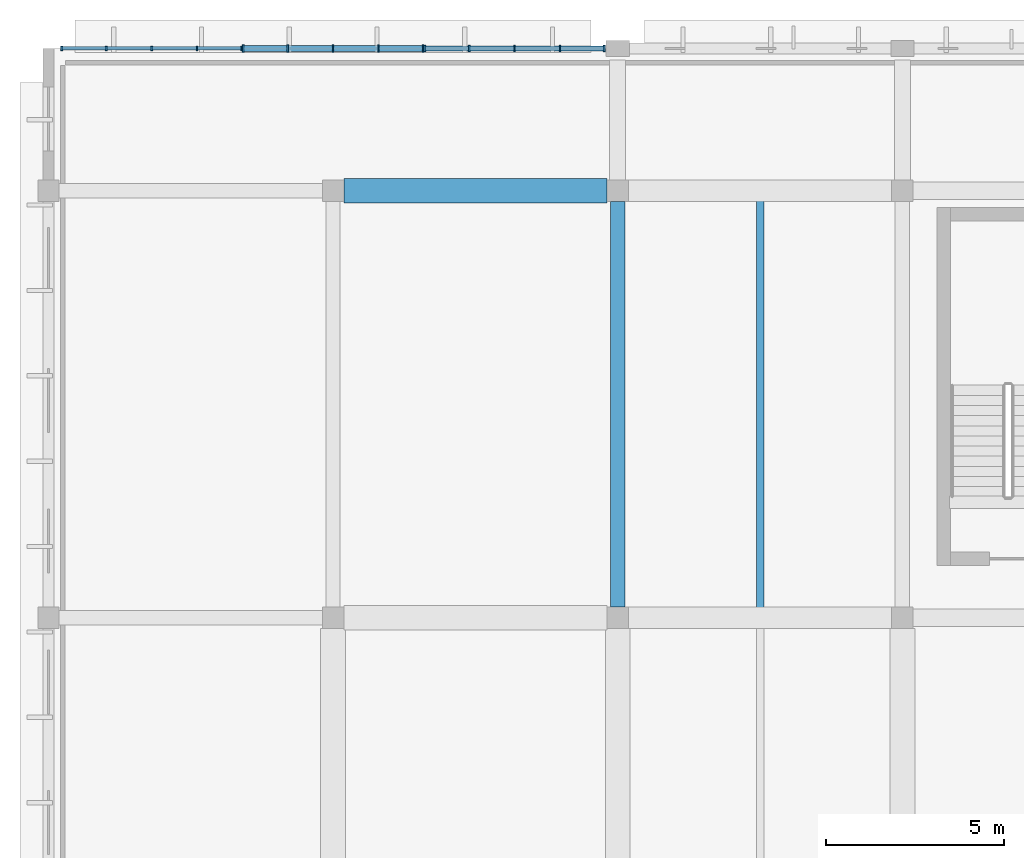
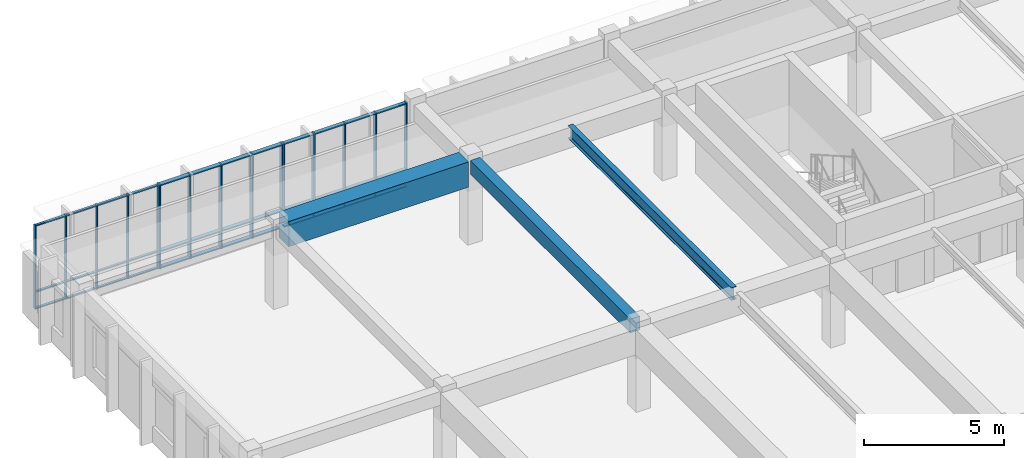
# One storey, part 16 of 98: 51 members, 3 beams, 3 elements without a shape of their own.
"""IFC4 building model written with IfcOpenShell, lengths in metres."""

from ifc_helpers import new_model, si_unit, direction, frame, origin, origin_2d, place, context, subcontext, project, spatial, rectangle, i_section, extrude, material, material_profile, profile_set, type_object, element, aggregate, save


model = new_model("IFC4")

# Units and contexts
model_context = context("Model", 3, precision=1e-05, world=origin(), true_north=direction((0.0, 1.0)))
body_context = subcontext(model_context, "Body", "Model", "MODEL_VIEW")
ifc_project = project(units=[si_unit("LENGTHUNIT", "METRE"), si_unit("AREAUNIT", "SQUARE_METRE"), si_unit("VOLUMEUNIT", "CUBIC_METRE"), si_unit("PLANEANGLEUNIT", "RADIAN"), si_unit("MASSUNIT", "GRAM", prefix="KILO")], contexts=[model_context])

# Site, building, storey
site_placement = place(None, origin())
site = spatial("IfcSite", under=ifc_project, at=site_placement, CompositionType="ELEMENT")
building_placement = place(site_placement, origin())
building = spatial("IfcBuilding", under=site, at=building_placement, Name="Larkveld Mobility Hub", CompositionType="ELEMENT")
storey_placement = place(building_placement, frame((0.0, 0.0, 4.5)))
storey = spatial("IfcBuildingStorey", under=building, at=storey_placement, Name="L01", CompositionType="ELEMENT", Elevation=4.5)

# Beams
ifc_material_1 = material(Name="Concrete C40/50", Category="concrete")
ifc_material_profile_1 = material_profile(ifc_material_1, rectangle(XDim=0.39990234375, YDim=0.60009765625, at=origin_2d()), Name="RC BM 400x600")
ifc_profile_set_1 = profile_set([ifc_material_profile_1], Name="Concrete C40/50")
beam_type_1 = type_object("IfcBeamType", Name="BM-RC4060", PredefinedType="BEAM", material=ifc_profile_set_1)
beam_1_placement = place(storey_placement, frame((16.0, 110.300048828125, 3.360107421875), z_axis=(0.0, 1.0, 0.0), x_axis=(-1.0, 0.0, 0.0)))
element("IfcBeam", 1, at=beam_1_placement, inside=storey, type_object=beam_type_1, Name="Primary N-S Girder L01-0358", PredefinedType="BEAM", context=body_context, shape_type="SweptSolid", body=[
    extrude(rectangle(XDim=0.39990234375, YDim=0.60009765625, at=origin_2d()), origin(), (0.0, 0.0, 1.0), 11.39990234375),
])
ifc_material_profile_2 = material_profile(ifc_material_1, rectangle(XDim=0.699951171875, YDim=1.10009765625, at=origin_2d()), Name="RC BM 700x1100")
ifc_profile_set_2 = profile_set([ifc_material_profile_2], Name="Concrete C40/50")
beam_type_2 = type_object("IfcBeamType", Name="BM-RC70110", PredefinedType="BEAM", material=ifc_profile_set_2)
beam_2_placement = place(storey_placement, frame((8.300048828125, 122.0, 3.110107421875), z_axis=(1.0, 0.0, 0.0), x_axis=(0.0, 1.0, 0.0)))
element("IfcBeam", 2, at=beam_2_placement, inside=storey, type_object=beam_type_2, Name="Primary E-W Girder L01-0329", PredefinedType="BEAM", context=body_context, shape_type="SweptSolid", body=[
    extrude(rectangle(XDim=0.699951171875, YDim=1.10009765625, at=origin_2d()), origin(), (0.0, 0.0, 1.0), 7.39990234375),
])
ifc_material_2 = material(Name="Steel S355JR", Category="steel")
ifc_material_profile_3 = material_profile(ifc_material_2, i_section(OverallWidth=0.2099609375, OverallDepth=0.550048828125, WebThickness=0.010986328125, FlangeThickness=0.01708984375, FilletRadius=0.02392578125, at=origin_2d()), Name="IPE 550")
ifc_profile_set_3 = profile_set([ifc_material_profile_3], Name="Steel S355JR")
beam_type_3 = type_object("IfcBeamType", Name="BM-STIPE550", PredefinedType="BEAM", material=ifc_profile_set_3)
beam_3_placement = place(storey_placement, frame((20.0, 110.169921875, 3.39501953125), z_axis=(0.0, 1.0, 0.0), x_axis=(-1.0, 0.0, 0.0)))
element("IfcBeam", 3, at=beam_3_placement, inside=storey, type_object=beam_type_3, Name="Bicycle Hall Secondary Beam L01-1183", PredefinedType="BEAM", context=body_context, shape_type="SweptSolid", body=[
    extrude(i_section(OverallWidth=0.2099609375, OverallDepth=0.550048828125, WebThickness=0.010986328125, FlangeThickness=0.01708984375, FilletRadius=0.02392578125, at=origin_2d()), origin(), (0.0, 0.0, 1.0), 11.66015625),
])

# Curtain wall, members
ifc_material_3 = material(Name="Anodised aluminium 6063-T6", Category="aluminium")
curtain_wall_type_1 = type_object("IfcCurtainWallType", Name="CW-SYS-02", PredefinedType="NOTDEFINED", material=ifc_material_3)
curtain_wall_1_placement = place(storey_placement, origin())
curtain_wall_1 = element("IfcCurtainWall", 4, at=curtain_wall_1_placement, inside=storey, type_object=curtain_wall_type_1, Name="Bicycle Hall North Curtain Wall L01 CW-074", PredefinedType="NOTDEFINED")
ifc_material_profile_4 = material_profile(ifc_material_3, rectangle(XDim=0.050048828125, YDim=0.179931640625, at=origin_2d()), Name="ALU MULL 50x180")
ifc_profile_set_4 = profile_set([ifc_material_profile_4], Name="Anodised aluminium 6063-T6")
member_type_1 = type_object("IfcMemberType", Name="CW-MUL-02", PredefinedType="MULLION", material=ifc_profile_set_4)
member_1_placement = place(storey_placement, frame((15.625, 126.0, -0.001953125), z_axis=(0.0, 0.0, 1.0), x_axis=(-1.0, 0.0, 0.0)))
member_1 = element("IfcMember", 5, at=member_1_placement, type_object=member_type_1, Name="CW02 mullion 1", PredefinedType="MULLION", context=body_context, shape_type="SweptSolid", body=[
    extrude(rectangle(XDim=0.050048828125, YDim=0.179931640625, at=origin_2d()), origin(), (0.0, 0.0, 1.0), 3.661865234375),
])
member_2_placement = place(storey_placement, frame((14.375, 126.0, -0.001953125), z_axis=(0.0, 0.0, 1.0), x_axis=(-1.0, 0.0, 0.0)))
member_2 = element("IfcMember", 6, at=member_2_placement, type_object=member_type_1, Name="CW02 mullion 2", PredefinedType="MULLION", context=body_context, shape_type="SweptSolid", body=[
    extrude(rectangle(XDim=0.050048828125, YDim=0.179931640625, at=origin_2d()), origin(), (0.0, 0.0, 1.0), 3.661865234375),
])
member_3_placement = place(storey_placement, frame((13.10009765625, 126.0, -0.001953125), z_axis=(0.0, 0.0, 1.0), x_axis=(-1.0, 0.0, 0.0)))
member_3 = element("IfcMember", 7, at=member_3_placement, type_object=member_type_1, Name="CW02 mullion 3", PredefinedType="MULLION", context=body_context, shape_type="SweptSolid", body=[
    extrude(rectangle(XDim=0.050048828125, YDim=0.179931640625, at=origin_2d()), origin(), (0.0, 0.0, 1.0), 3.661865234375),
])
member_4_placement = place(storey_placement, frame((11.824951171875, 126.0, -0.001953125), z_axis=(0.0, 0.0, 1.0), x_axis=(-1.0, 0.0, 0.0)))
member_4 = element("IfcMember", 8, at=member_4_placement, type_object=member_type_1, Name="CW02 mullion 4", PredefinedType="MULLION", context=body_context, shape_type="SweptSolid", body=[
    extrude(rectangle(XDim=0.050048828125, YDim=0.179931640625, at=origin_2d()), origin(), (0.0, 0.0, 1.0), 3.661865234375),
])
member_5_placement = place(storey_placement, frame((10.574951171875, 126.0, -0.001953125), z_axis=(0.0, 0.0, 1.0), x_axis=(-1.0, 0.0, 0.0)))
member_5 = element("IfcMember", 9, at=member_5_placement, type_object=member_type_1, Name="CW02 mullion 5", PredefinedType="MULLION", context=body_context, shape_type="SweptSolid", body=[
    extrude(rectangle(XDim=0.050048828125, YDim=0.179931640625, at=origin_2d()), origin(), (0.0, 0.0, 1.0), 3.661865234375),
])

curtain_wall_type_2 = type_object("IfcCurtainWallType", Name="CW-SYS-03", PredefinedType="NOTDEFINED", material=ifc_material_3)
curtain_wall_2_placement = place(storey_placement, origin())
curtain_wall_2 = element("IfcCurtainWall", 10, at=curtain_wall_2_placement, inside=storey, type_object=curtain_wall_type_2, Name="Bicycle Hall North Curtain Wall L01 CW-075", PredefinedType="NOTDEFINED")
ifc_material_profile_5 = material_profile(ifc_material_3, rectangle(XDim=0.050048828125, YDim=0.2099609375, at=origin_2d()), Name="ALU MULL 50x210")
ifc_profile_set_5 = profile_set([ifc_material_profile_5], Name="Anodised aluminium 6063-T6")
member_type_2 = type_object("IfcMemberType", Name="CW-MUL-03", PredefinedType="MULLION", material=ifc_profile_set_5)
member_6_placement = place(storey_placement, frame((10.52490234375, 126.0, -0.001953125), z_axis=(0.0, 0.0, 1.0), x_axis=(-1.0, 0.0, 0.0)))
member_6 = element("IfcMember", 11, at=member_6_placement, type_object=member_type_2, Name="CW03 mullion 1", PredefinedType="MULLION", context=body_context, shape_type="SweptSolid", body=[
    extrude(rectangle(XDim=0.050048828125, YDim=0.2099609375, at=origin_2d()), origin(), (0.0, 0.0, 1.0), 3.661865234375),
])
member_7_placement = place(storey_placement, frame((9.27490234375, 126.0, -0.001953125), z_axis=(0.0, 0.0, 1.0), x_axis=(-1.0, 0.0, 0.0)))
member_7 = element("IfcMember", 12, at=member_7_placement, type_object=member_type_2, Name="CW03 mullion 2", PredefinedType="MULLION", context=body_context, shape_type="SweptSolid", body=[
    extrude(rectangle(XDim=0.050048828125, YDim=0.2099609375, at=origin_2d()), origin(), (0.0, 0.0, 1.0), 3.661865234375),
])
member_8_placement = place(storey_placement, frame((8.0, 126.0, -0.001953125), z_axis=(0.0, 0.0, 1.0), x_axis=(-1.0, 0.0, 0.0)))
member_8 = element("IfcMember", 13, at=member_8_placement, type_object=member_type_2, Name="CW03 mullion 3", PredefinedType="MULLION", context=body_context, shape_type="SweptSolid", body=[
    extrude(rectangle(XDim=0.050048828125, YDim=0.2099609375, at=origin_2d()), origin(), (0.0, 0.0, 1.0), 3.661865234375),
])
member_9_placement = place(storey_placement, frame((6.72509765625, 126.0, -0.001953125), z_axis=(0.0, 0.0, 1.0), x_axis=(-1.0, 0.0, 0.0)))
member_9 = element("IfcMember", 14, at=member_9_placement, type_object=member_type_2, Name="CW03 mullion 4", PredefinedType="MULLION", context=body_context, shape_type="SweptSolid", body=[
    extrude(rectangle(XDim=0.050048828125, YDim=0.2099609375, at=origin_2d()), origin(), (0.0, 0.0, 1.0), 3.661865234375),
])
member_10_placement = place(storey_placement, frame((5.47509765625, 126.0, -0.001953125), z_axis=(0.0, 0.0, 1.0), x_axis=(-1.0, 0.0, 0.0)))
member_10 = element("IfcMember", 15, at=member_10_placement, type_object=member_type_2, Name="CW03 mullion 5", PredefinedType="MULLION", context=body_context, shape_type="SweptSolid", body=[
    extrude(rectangle(XDim=0.050048828125, YDim=0.2099609375, at=origin_2d()), origin(), (0.0, 0.0, 1.0), 3.661865234375),
])

curtain_wall_type_3 = type_object("IfcCurtainWallType", Name="CW-SYS-04", PredefinedType="NOTDEFINED", material=ifc_material_3)
curtain_wall_3_placement = place(storey_placement, origin())
curtain_wall_3 = element("IfcCurtainWall", 16, at=curtain_wall_3_placement, inside=storey, type_object=curtain_wall_type_3, Name="Bicycle Hall North Curtain Wall L01 CW-076", PredefinedType="NOTDEFINED")
ifc_material_profile_6 = material_profile(ifc_material_3, rectangle(XDim=0.050048828125, YDim=0.1298828125, at=origin_2d()), Name="ALU MULL 50x130")
ifc_profile_set_6 = profile_set([ifc_material_profile_6], Name="Anodised aluminium 6063-T6")
member_type_3 = type_object("IfcMemberType", Name="CW-MUL-04", PredefinedType="MULLION", material=ifc_profile_set_6)
member_11_placement = place(storey_placement, frame((5.425048828125, 126.0, -0.001953125), z_axis=(0.0, 0.0, 1.0), x_axis=(-1.0, 0.0, 0.0)))
member_11 = element("IfcMember", 17, at=member_11_placement, type_object=member_type_3, Name="CW04 mullion 1", PredefinedType="MULLION", context=body_context, shape_type="SweptSolid", body=[
    extrude(rectangle(XDim=0.050048828125, YDim=0.1298828125, at=origin_2d()), origin(), (0.0, 0.0, 1.0), 3.661865234375),
])
member_12_placement = place(storey_placement, frame((4.175048828125, 126.0, -0.001953125), z_axis=(0.0, 0.0, 1.0), x_axis=(-1.0, 0.0, 0.0)))
member_12 = element("IfcMember", 18, at=member_12_placement, type_object=member_type_3, Name="CW04 mullion 2", PredefinedType="MULLION", context=body_context, shape_type="SweptSolid", body=[
    extrude(rectangle(XDim=0.050048828125, YDim=0.1298828125, at=origin_2d()), origin(), (0.0, 0.0, 1.0), 3.661865234375),
])
member_13_placement = place(storey_placement, frame((2.89990234375, 126.0, -0.001953125), z_axis=(0.0, 0.0, 1.0), x_axis=(-1.0, 0.0, 0.0)))
member_13 = element("IfcMember", 19, at=member_13_placement, type_object=member_type_3, Name="CW04 mullion 3", PredefinedType="MULLION", context=body_context, shape_type="SweptSolid", body=[
    extrude(rectangle(XDim=0.050048828125, YDim=0.1298828125, at=origin_2d()), origin(), (0.0, 0.0, 1.0), 3.661865234375),
])
member_14_placement = place(storey_placement, frame((1.625, 126.0, -0.001953125), z_axis=(0.0, 0.0, 1.0), x_axis=(-1.0, 0.0, 0.0)))
member_14 = element("IfcMember", 20, at=member_14_placement, type_object=member_type_3, Name="CW04 mullion 4", PredefinedType="MULLION", context=body_context, shape_type="SweptSolid", body=[
    extrude(rectangle(XDim=0.050048828125, YDim=0.1298828125, at=origin_2d()), origin(), (0.0, 0.0, 1.0), 3.661865234375),
])
member_15_placement = place(storey_placement, frame((0.375, 126.0, -0.001953125), z_axis=(0.0, 0.0, 1.0), x_axis=(-1.0, 0.0, 0.0)))
member_15 = element("IfcMember", 21, at=member_15_placement, type_object=member_type_3, Name="CW04 mullion 5", PredefinedType="MULLION", context=body_context, shape_type="SweptSolid", body=[
    extrude(rectangle(XDim=0.050048828125, YDim=0.1298828125, at=origin_2d()), origin(), (0.0, 0.0, 1.0), 3.661865234375),
])

# Member
ifc_material_profile_7 = material_profile(ifc_material_3, rectangle(XDim=0.14990234375, YDim=0.050048828125, at=origin_2d()), Name="ALU TRAN 50x150")
ifc_profile_set_7 = profile_set([ifc_material_profile_7], Name="Anodised aluminium 6063-T6")
member_type_4 = type_object("IfcMemberType", Name="CW-TRN-02", PredefinedType="USERDEFINED", material=ifc_profile_set_7)
member_16_placement = place(storey_placement, frame((15.614990234375, 126.0, 0.030029296875), z_axis=(-1.0, 0.0, 0.0), x_axis=(0.0, -1.0, 0.0)))
member_16 = element("IfcMember", 22, at=member_16_placement, type_object=member_type_4, Name="CW02 transom 1.1", ObjectType="TRANSOM", PredefinedType="USERDEFINED", context=body_context, shape_type="SweptSolid", body=[
    extrude(rectangle(XDim=0.14990234375, YDim=0.050048828125, at=origin_2d()), origin(), (0.0, 0.0, 1.0), 1.22509765625),
])

member_17_placement = place(storey_placement, frame((15.614990234375, 126.0, 0.75), z_axis=(-1.0, 0.0, 0.0), x_axis=(0.0, -1.0, 0.0)))
member_17 = element("IfcMember", 23, at=member_17_placement, type_object=member_type_4, Name="CW02 transom 1.2", ObjectType="TRANSOM", PredefinedType="USERDEFINED", context=body_context, shape_type="SweptSolid", body=[
    extrude(rectangle(XDim=0.14990234375, YDim=0.050048828125, at=origin_2d()), origin(), (0.0, 0.0, 1.0), 1.22509765625),
])

member_18_placement = place(storey_placement, frame((15.614990234375, 126.0, 3.6279296875), z_axis=(-1.0, 0.0, 0.0), x_axis=(0.0, -1.0, 0.0)))
member_18 = element("IfcMember", 24, at=member_18_placement, type_object=member_type_4, Name="CW02 transom 1.3", ObjectType="TRANSOM", PredefinedType="USERDEFINED", context=body_context, shape_type="SweptSolid", body=[
    extrude(rectangle(XDim=0.14990234375, YDim=0.050048828125, at=origin_2d()), origin(), (0.0, 0.0, 1.0), 1.22509765625),
])

member_19_placement = place(storey_placement, frame((14.360107421875, 126.0, 0.030029296875), z_axis=(-1.0, 0.0, 0.0), x_axis=(0.0, -1.0, 0.0)))
member_19 = element("IfcMember", 25, at=member_19_placement, type_object=member_type_4, Name="CW02 transom 2.1", ObjectType="TRANSOM", PredefinedType="USERDEFINED", context=body_context, shape_type="SweptSolid", body=[
    extrude(rectangle(XDim=0.14990234375, YDim=0.050048828125, at=origin_2d()), origin(), (0.0, 0.0, 1.0), 1.2451171875),
])

member_20_placement = place(storey_placement, frame((14.360107421875, 126.0, 0.75), z_axis=(-1.0, 0.0, 0.0), x_axis=(0.0, -1.0, 0.0)))
member_20 = element("IfcMember", 26, at=member_20_placement, type_object=member_type_4, Name="CW02 transom 2.2", ObjectType="TRANSOM", PredefinedType="USERDEFINED", context=body_context, shape_type="SweptSolid", body=[
    extrude(rectangle(XDim=0.14990234375, YDim=0.050048828125, at=origin_2d()), origin(), (0.0, 0.0, 1.0), 1.2451171875),
])

member_21_placement = place(storey_placement, frame((14.360107421875, 126.0, 3.6279296875), z_axis=(-1.0, 0.0, 0.0), x_axis=(0.0, -1.0, 0.0)))
member_21 = element("IfcMember", 27, at=member_21_placement, type_object=member_type_4, Name="CW02 transom 2.3", ObjectType="TRANSOM", PredefinedType="USERDEFINED", context=body_context, shape_type="SweptSolid", body=[
    extrude(rectangle(XDim=0.14990234375, YDim=0.050048828125, at=origin_2d()), origin(), (0.0, 0.0, 1.0), 1.2451171875),
])

member_22_placement = place(storey_placement, frame((13.0849609375, 126.0, 0.030029296875), z_axis=(-1.0, 0.0, 0.0), x_axis=(0.0, -1.0, 0.0)))
member_22 = element("IfcMember", 28, at=member_22_placement, type_object=member_type_4, Name="CW02 transom 3.1", ObjectType="TRANSOM", PredefinedType="USERDEFINED", context=body_context, shape_type="SweptSolid", body=[
    extrude(rectangle(XDim=0.14990234375, YDim=0.050048828125, at=origin_2d()), origin(), (0.0, 0.0, 1.0), 1.244873046875),
])

member_23_placement = place(storey_placement, frame((13.0849609375, 126.0, 0.75), z_axis=(-1.0, 0.0, 0.0), x_axis=(0.0, -1.0, 0.0)))
member_23 = element("IfcMember", 29, at=member_23_placement, type_object=member_type_4, Name="CW02 transom 3.2", ObjectType="TRANSOM", PredefinedType="USERDEFINED", context=body_context, shape_type="SweptSolid", body=[
    extrude(rectangle(XDim=0.14990234375, YDim=0.050048828125, at=origin_2d()), origin(), (0.0, 0.0, 1.0), 1.244873046875),
])

member_24_placement = place(storey_placement, frame((13.0849609375, 126.0, 3.6279296875), z_axis=(-1.0, 0.0, 0.0), x_axis=(0.0, -1.0, 0.0)))
member_24 = element("IfcMember", 30, at=member_24_placement, type_object=member_type_4, Name="CW02 transom 3.3", ObjectType="TRANSOM", PredefinedType="USERDEFINED", context=body_context, shape_type="SweptSolid", body=[
    extrude(rectangle(XDim=0.14990234375, YDim=0.050048828125, at=origin_2d()), origin(), (0.0, 0.0, 1.0), 1.244873046875),
])

member_25_placement = place(storey_placement, frame((11.81005859375, 126.0, 0.030029296875), z_axis=(-1.0, 0.0, 0.0), x_axis=(0.0, -1.0, 0.0)))
member_25 = element("IfcMember", 31, at=member_25_placement, type_object=member_type_4, Name="CW02 transom 4.1", ObjectType="TRANSOM", PredefinedType="USERDEFINED", context=body_context, shape_type="SweptSolid", body=[
    extrude(rectangle(XDim=0.14990234375, YDim=0.050048828125, at=origin_2d()), origin(), (0.0, 0.0, 1.0), 1.22509765625),
])

member_26_placement = place(storey_placement, frame((11.81005859375, 126.0, 0.75), z_axis=(-1.0, 0.0, 0.0), x_axis=(0.0, -1.0, 0.0)))
member_26 = element("IfcMember", 32, at=member_26_placement, type_object=member_type_4, Name="CW02 transom 4.2", ObjectType="TRANSOM", PredefinedType="USERDEFINED", context=body_context, shape_type="SweptSolid", body=[
    extrude(rectangle(XDim=0.14990234375, YDim=0.050048828125, at=origin_2d()), origin(), (0.0, 0.0, 1.0), 1.22509765625),
])

member_27_placement = place(storey_placement, frame((11.81005859375, 126.0, 3.6279296875), z_axis=(-1.0, 0.0, 0.0), x_axis=(0.0, -1.0, 0.0)))
member_27 = element("IfcMember", 33, at=member_27_placement, type_object=member_type_4, Name="CW02 transom 4.3", ObjectType="TRANSOM", PredefinedType="USERDEFINED", context=body_context, shape_type="SweptSolid", body=[
    extrude(rectangle(XDim=0.14990234375, YDim=0.050048828125, at=origin_2d()), origin(), (0.0, 0.0, 1.0), 1.22509765625),
])

aggregate(curtain_wall_1, [member_1, member_2, member_3, member_4, member_5, member_16, member_17, member_18, member_19, member_20, member_21, member_22, member_23, member_24, member_25, member_26, member_27])

ifc_material_profile_8 = material_profile(ifc_material_3, rectangle(XDim=0.169921875, YDim=0.050048828125, at=origin_2d()), Name="ALU TRAN 50x170")
ifc_profile_set_8 = profile_set([ifc_material_profile_8], Name="Anodised aluminium 6063-T6")
member_type_5 = type_object("IfcMemberType", Name="CW-TRN-03", PredefinedType="USERDEFINED", material=ifc_profile_set_8)
member_28_placement = place(storey_placement, frame((10.514892578125, 126.0, 0.030029296875), z_axis=(-1.0, 0.0, 0.0), x_axis=(0.0, -1.0, 0.0)))
member_28 = element("IfcMember", 34, at=member_28_placement, type_object=member_type_5, Name="CW03 transom 1.1", ObjectType="TRANSOM", PredefinedType="USERDEFINED", context=body_context, shape_type="SweptSolid", body=[
    extrude(rectangle(XDim=0.169921875, YDim=0.050048828125, at=origin_2d()), origin(), (0.0, 0.0, 1.0), 1.224853515625),
])

member_29_placement = place(storey_placement, frame((10.514892578125, 126.0, 0.75), z_axis=(-1.0, 0.0, 0.0), x_axis=(0.0, -1.0, 0.0)))
member_29 = element("IfcMember", 35, at=member_29_placement, type_object=member_type_5, Name="CW03 transom 1.2", ObjectType="TRANSOM", PredefinedType="USERDEFINED", context=body_context, shape_type="SweptSolid", body=[
    extrude(rectangle(XDim=0.169921875, YDim=0.050048828125, at=origin_2d()), origin(), (0.0, 0.0, 1.0), 1.224853515625),
])

member_30_placement = place(storey_placement, frame((10.514892578125, 126.0, 3.6279296875), z_axis=(-1.0, 0.0, 0.0), x_axis=(0.0, -1.0, 0.0)))
member_30 = element("IfcMember", 36, at=member_30_placement, type_object=member_type_5, Name="CW03 transom 1.3", ObjectType="TRANSOM", PredefinedType="USERDEFINED", context=body_context, shape_type="SweptSolid", body=[
    extrude(rectangle(XDim=0.169921875, YDim=0.050048828125, at=origin_2d()), origin(), (0.0, 0.0, 1.0), 1.224853515625),
])

member_31_placement = place(storey_placement, frame((9.260009765625, 126.0, 0.030029296875), z_axis=(-1.0, 0.0, 0.0), x_axis=(0.0, -1.0, 0.0)))
member_31 = element("IfcMember", 37, at=member_31_placement, type_object=member_type_5, Name="CW03 transom 2.1", ObjectType="TRANSOM", PredefinedType="USERDEFINED", context=body_context, shape_type="SweptSolid", body=[
    extrude(rectangle(XDim=0.169921875, YDim=0.050048828125, at=origin_2d()), origin(), (0.0, 0.0, 1.0), 1.2451171875),
])

member_32_placement = place(storey_placement, frame((9.260009765625, 126.0, 0.75), z_axis=(-1.0, 0.0, 0.0), x_axis=(0.0, -1.0, 0.0)))
member_32 = element("IfcMember", 38, at=member_32_placement, type_object=member_type_5, Name="CW03 transom 2.2", ObjectType="TRANSOM", PredefinedType="USERDEFINED", context=body_context, shape_type="SweptSolid", body=[
    extrude(rectangle(XDim=0.169921875, YDim=0.050048828125, at=origin_2d()), origin(), (0.0, 0.0, 1.0), 1.2451171875),
])

member_33_placement = place(storey_placement, frame((9.260009765625, 126.0, 3.6279296875), z_axis=(-1.0, 0.0, 0.0), x_axis=(0.0, -1.0, 0.0)))
member_33 = element("IfcMember", 39, at=member_33_placement, type_object=member_type_5, Name="CW03 transom 2.3", ObjectType="TRANSOM", PredefinedType="USERDEFINED", context=body_context, shape_type="SweptSolid", body=[
    extrude(rectangle(XDim=0.169921875, YDim=0.050048828125, at=origin_2d()), origin(), (0.0, 0.0, 1.0), 1.2451171875),
])

member_34_placement = place(storey_placement, frame((7.985107421875, 126.0, 0.030029296875), z_axis=(-1.0, 0.0, 0.0), x_axis=(0.0, -1.0, 0.0)))
member_34 = element("IfcMember", 40, at=member_34_placement, type_object=member_type_5, Name="CW03 transom 3.1", ObjectType="TRANSOM", PredefinedType="USERDEFINED", context=body_context, shape_type="SweptSolid", body=[
    extrude(rectangle(XDim=0.169921875, YDim=0.050048828125, at=origin_2d()), origin(), (0.0, 0.0, 1.0), 1.2451171875),
])

member_35_placement = place(storey_placement, frame((7.985107421875, 126.0, 0.75), z_axis=(-1.0, 0.0, 0.0), x_axis=(0.0, -1.0, 0.0)))
member_35 = element("IfcMember", 41, at=member_35_placement, type_object=member_type_5, Name="CW03 transom 3.2", ObjectType="TRANSOM", PredefinedType="USERDEFINED", context=body_context, shape_type="SweptSolid", body=[
    extrude(rectangle(XDim=0.169921875, YDim=0.050048828125, at=origin_2d()), origin(), (0.0, 0.0, 1.0), 1.2451171875),
])

member_36_placement = place(storey_placement, frame((7.985107421875, 126.0, 3.6279296875), z_axis=(-1.0, 0.0, 0.0), x_axis=(0.0, -1.0, 0.0)))
member_36 = element("IfcMember", 42, at=member_36_placement, type_object=member_type_5, Name="CW03 transom 3.3", ObjectType="TRANSOM", PredefinedType="USERDEFINED", context=body_context, shape_type="SweptSolid", body=[
    extrude(rectangle(XDim=0.169921875, YDim=0.050048828125, at=origin_2d()), origin(), (0.0, 0.0, 1.0), 1.2451171875),
])

member_37_placement = place(storey_placement, frame((6.7099609375, 126.0, 0.030029296875), z_axis=(-1.0, 0.0, 0.0), x_axis=(0.0, -1.0, 0.0)))
member_37 = element("IfcMember", 43, at=member_37_placement, type_object=member_type_5, Name="CW03 transom 4.1", ObjectType="TRANSOM", PredefinedType="USERDEFINED", context=body_context, shape_type="SweptSolid", body=[
    extrude(rectangle(XDim=0.169921875, YDim=0.050048828125, at=origin_2d()), origin(), (0.0, 0.0, 1.0), 1.224853515625),
])

member_38_placement = place(storey_placement, frame((6.7099609375, 126.0, 0.75), z_axis=(-1.0, 0.0, 0.0), x_axis=(0.0, -1.0, 0.0)))
member_38 = element("IfcMember", 44, at=member_38_placement, type_object=member_type_5, Name="CW03 transom 4.2", ObjectType="TRANSOM", PredefinedType="USERDEFINED", context=body_context, shape_type="SweptSolid", body=[
    extrude(rectangle(XDim=0.169921875, YDim=0.050048828125, at=origin_2d()), origin(), (0.0, 0.0, 1.0), 1.224853515625),
])

member_39_placement = place(storey_placement, frame((6.7099609375, 126.0, 3.6279296875), z_axis=(-1.0, 0.0, 0.0), x_axis=(0.0, -1.0, 0.0)))
member_39 = element("IfcMember", 45, at=member_39_placement, type_object=member_type_5, Name="CW03 transom 4.3", ObjectType="TRANSOM", PredefinedType="USERDEFINED", context=body_context, shape_type="SweptSolid", body=[
    extrude(rectangle(XDim=0.169921875, YDim=0.050048828125, at=origin_2d()), origin(), (0.0, 0.0, 1.0), 1.224853515625),
])

aggregate(curtain_wall_2, [member_6, member_7, member_8, member_9, member_10, member_28, member_29, member_30, member_31, member_32, member_33, member_34, member_35, member_36, member_37, member_38, member_39])

ifc_material_profile_9 = material_profile(ifc_material_3, rectangle(XDim=0.10009765625, YDim=0.050048828125, at=origin_2d()), Name="ALU TRAN 50x100")
ifc_profile_set_9 = profile_set([ifc_material_profile_9], Name="Anodised aluminium 6063-T6")
member_type_6 = type_object("IfcMemberType", Name="CW-TRN-04", PredefinedType="USERDEFINED", material=ifc_profile_set_9)
member_40_placement = place(storey_placement, frame((5.4150390625, 126.0, 0.030029296875), z_axis=(-1.0, 0.0, 0.0), x_axis=(0.0, -1.0, 0.0)))
member_40 = element("IfcMember", 46, at=member_40_placement, type_object=member_type_6, Name="CW04 transom 1.1", ObjectType="TRANSOM", PredefinedType="USERDEFINED", context=body_context, shape_type="SweptSolid", body=[
    extrude(rectangle(XDim=0.10009765625, YDim=0.050048828125, at=origin_2d()), origin(), (0.0, 0.0, 1.0), 1.22509765625),
])

member_41_placement = place(storey_placement, frame((5.4150390625, 126.0, 0.75), z_axis=(-1.0, 0.0, 0.0), x_axis=(0.0, -1.0, 0.0)))
member_41 = element("IfcMember", 47, at=member_41_placement, type_object=member_type_6, Name="CW04 transom 1.2", ObjectType="TRANSOM", PredefinedType="USERDEFINED", context=body_context, shape_type="SweptSolid", body=[
    extrude(rectangle(XDim=0.10009765625, YDim=0.050048828125, at=origin_2d()), origin(), (0.0, 0.0, 1.0), 1.22509765625),
])

member_42_placement = place(storey_placement, frame((5.4150390625, 126.0, 3.6279296875), z_axis=(-1.0, 0.0, 0.0), x_axis=(0.0, -1.0, 0.0)))
member_42 = element("IfcMember", 48, at=member_42_placement, type_object=member_type_6, Name="CW04 transom 1.3", ObjectType="TRANSOM", PredefinedType="USERDEFINED", context=body_context, shape_type="SweptSolid", body=[
    extrude(rectangle(XDim=0.10009765625, YDim=0.050048828125, at=origin_2d()), origin(), (0.0, 0.0, 1.0), 1.22509765625),
])

member_43_placement = place(storey_placement, frame((4.159912109375, 126.0, 0.030029296875), z_axis=(-1.0, 0.0, 0.0), x_axis=(0.0, -1.0, 0.0)))
member_43 = element("IfcMember", 49, at=member_43_placement, type_object=member_type_6, Name="CW04 transom 2.1", ObjectType="TRANSOM", PredefinedType="USERDEFINED", context=body_context, shape_type="SweptSolid", body=[
    extrude(rectangle(XDim=0.10009765625, YDim=0.050048828125, at=origin_2d()), origin(), (0.0, 0.0, 1.0), 1.244873046875),
])

member_44_placement = place(storey_placement, frame((4.159912109375, 126.0, 0.75), z_axis=(-1.0, 0.0, 0.0), x_axis=(0.0, -1.0, 0.0)))
member_44 = element("IfcMember", 50, at=member_44_placement, type_object=member_type_6, Name="CW04 transom 2.2", ObjectType="TRANSOM", PredefinedType="USERDEFINED", context=body_context, shape_type="SweptSolid", body=[
    extrude(rectangle(XDim=0.10009765625, YDim=0.050048828125, at=origin_2d()), origin(), (0.0, 0.0, 1.0), 1.244873046875),
])

member_45_placement = place(storey_placement, frame((4.159912109375, 126.0, 3.6279296875), z_axis=(-1.0, 0.0, 0.0), x_axis=(0.0, -1.0, 0.0)))
member_45 = element("IfcMember", 51, at=member_45_placement, type_object=member_type_6, Name="CW04 transom 2.3", ObjectType="TRANSOM", PredefinedType="USERDEFINED", context=body_context, shape_type="SweptSolid", body=[
    extrude(rectangle(XDim=0.10009765625, YDim=0.050048828125, at=origin_2d()), origin(), (0.0, 0.0, 1.0), 1.244873046875),
])

member_46_placement = place(storey_placement, frame((2.885009765625, 126.0, 0.030029296875), z_axis=(-1.0, 0.0, 0.0), x_axis=(0.0, -1.0, 0.0)))
member_46 = element("IfcMember", 52, at=member_46_placement, type_object=member_type_6, Name="CW04 transom 3.1", ObjectType="TRANSOM", PredefinedType="USERDEFINED", context=body_context, shape_type="SweptSolid", body=[
    extrude(rectangle(XDim=0.10009765625, YDim=0.050048828125, at=origin_2d()), origin(), (0.0, 0.0, 1.0), 1.2451171875),
])

member_47_placement = place(storey_placement, frame((2.885009765625, 126.0, 0.75), z_axis=(-1.0, 0.0, 0.0), x_axis=(0.0, -1.0, 0.0)))
member_47 = element("IfcMember", 53, at=member_47_placement, type_object=member_type_6, Name="CW04 transom 3.2", ObjectType="TRANSOM", PredefinedType="USERDEFINED", context=body_context, shape_type="SweptSolid", body=[
    extrude(rectangle(XDim=0.10009765625, YDim=0.050048828125, at=origin_2d()), origin(), (0.0, 0.0, 1.0), 1.2451171875),
])

member_48_placement = place(storey_placement, frame((2.885009765625, 126.0, 3.6279296875), z_axis=(-1.0, 0.0, 0.0), x_axis=(0.0, -1.0, 0.0)))
member_48 = element("IfcMember", 54, at=member_48_placement, type_object=member_type_6, Name="CW04 transom 3.3", ObjectType="TRANSOM", PredefinedType="USERDEFINED", context=body_context, shape_type="SweptSolid", body=[
    extrude(rectangle(XDim=0.10009765625, YDim=0.050048828125, at=origin_2d()), origin(), (0.0, 0.0, 1.0), 1.2451171875),
])

member_49_placement = place(storey_placement, frame((1.610107421875, 126.0, 0.030029296875), z_axis=(-1.0, 0.0, 0.0), x_axis=(0.0, -1.0, 0.0)))
member_49 = element("IfcMember", 55, at=member_49_placement, type_object=member_type_6, Name="CW04 transom 4.1", ObjectType="TRANSOM", PredefinedType="USERDEFINED", context=body_context, shape_type="SweptSolid", body=[
    extrude(rectangle(XDim=0.10009765625, YDim=0.050048828125, at=origin_2d()), origin(), (0.0, 0.0, 1.0), 1.22509765625),
])

member_50_placement = place(storey_placement, frame((1.610107421875, 126.0, 0.75), z_axis=(-1.0, 0.0, 0.0), x_axis=(0.0, -1.0, 0.0)))
member_50 = element("IfcMember", 56, at=member_50_placement, type_object=member_type_6, Name="CW04 transom 4.2", ObjectType="TRANSOM", PredefinedType="USERDEFINED", context=body_context, shape_type="SweptSolid", body=[
    extrude(rectangle(XDim=0.10009765625, YDim=0.050048828125, at=origin_2d()), origin(), (0.0, 0.0, 1.0), 1.22509765625),
])

member_51_placement = place(storey_placement, frame((1.610107421875, 126.0, 3.6279296875), z_axis=(-1.0, 0.0, 0.0), x_axis=(0.0, -1.0, 0.0)))
member_51 = element("IfcMember", 57, at=member_51_placement, type_object=member_type_6, Name="CW04 transom 4.3", ObjectType="TRANSOM", PredefinedType="USERDEFINED", context=body_context, shape_type="SweptSolid", body=[
    extrude(rectangle(XDim=0.10009765625, YDim=0.050048828125, at=origin_2d()), origin(), (0.0, 0.0, 1.0), 1.22509765625),
])

aggregate(curtain_wall_3, [member_11, member_12, member_13, member_14, member_15, member_40, member_41, member_42, member_43, member_44, member_45, member_46, member_47, member_48, member_49, member_50, member_51])

save(model, "model.ifc")
